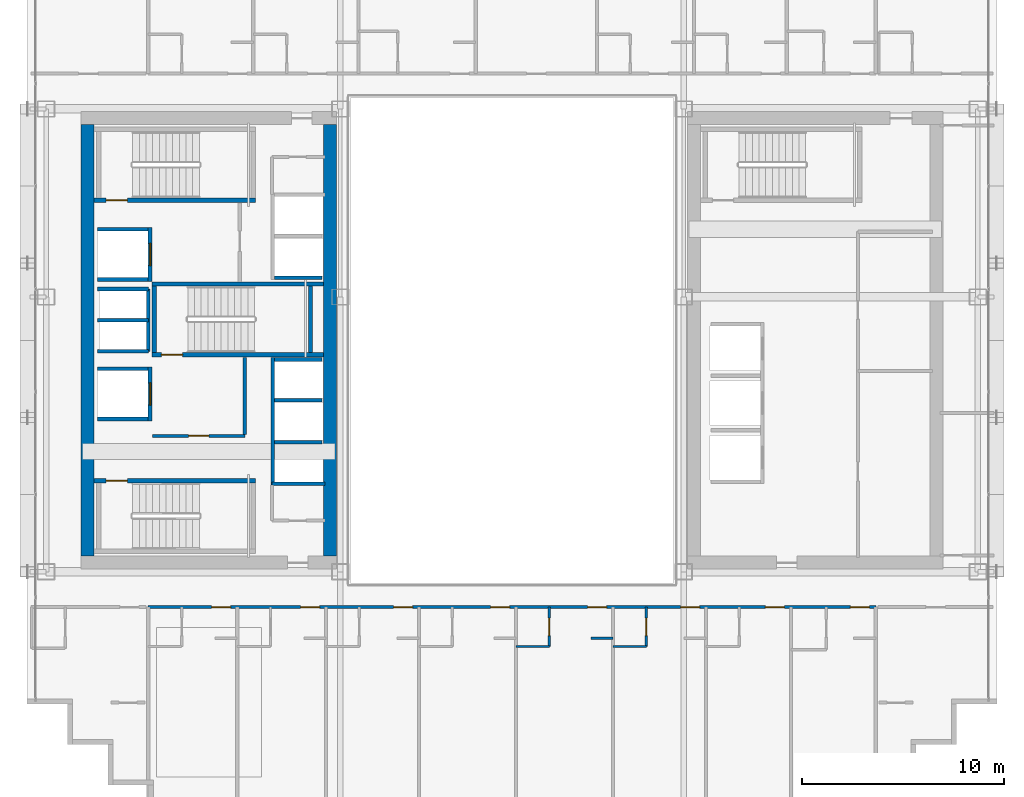
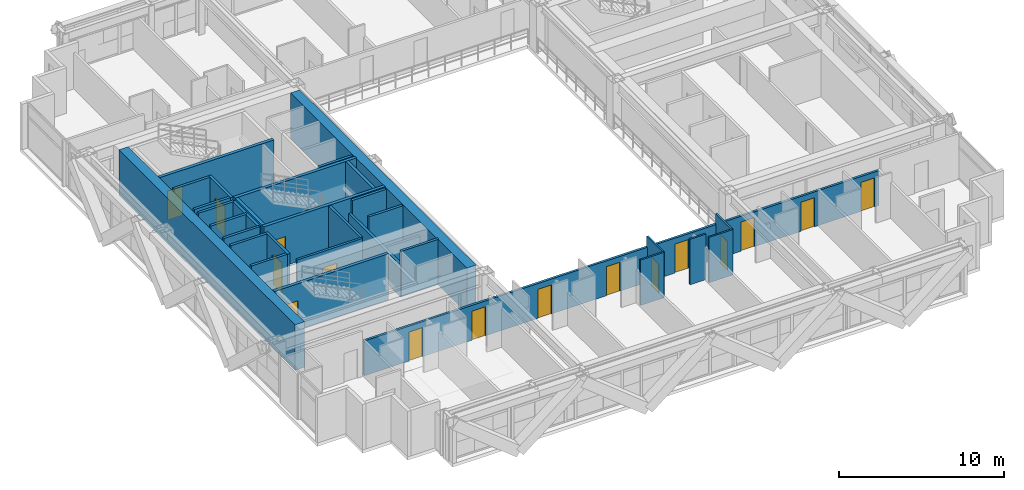
# One storey, part 28 of 35: 32 walls, 16 doors, 16 openings.
"""IFC4 building model written with IfcOpenShell, lengths in metres."""

from ifc_helpers import new_model, si_unit, direction, frame, frame_2d, origin, place, context, subcontext, project, spatial, rectangle, extrude, source, transform, mapped, material, layer, layer_set, type_object, element, fill, save


model = new_model("IFC4")

# Units and contexts
model_context = context("Model", 3, precision=1e-05, world=origin(), true_north=direction((0.0, 1.0)))
body_context = subcontext(model_context, "Body", "Model", "MODEL_VIEW")
ifc_project = project(units=[si_unit("LENGTHUNIT", "METRE"), si_unit("AREAUNIT", "SQUARE_METRE"), si_unit("VOLUMEUNIT", "CUBIC_METRE"), si_unit("PLANEANGLEUNIT", "RADIAN"), si_unit("MASSUNIT", "GRAM", prefix="KILO")], contexts=[model_context])

# Site, building, storey
site_placement = place(None, origin())
site = spatial("IfcSite", under=ifc_project, at=site_placement, CompositionType="ELEMENT")
building_placement = place(site_placement, origin())
building = spatial("IfcBuilding", under=site, at=building_placement, Name="Ocotamira Hotel", CompositionType="ELEMENT")
storey_placement = place(building_placement, frame((0.0, 0.0, 100.800048828125)))
storey = spatial("IfcBuildingStorey", under=building, at=storey_placement, Name="L24", CompositionType="ELEMENT", Elevation=100.800048828125)

# Walls
ifc_material_1 = material(Name="Concrete C60/75", Category="concrete")
ifc_layer_1 = layer(ifc_material_1, 0.64990234375)
ifc_layer_set_1 = layer_set([ifc_layer_1], Name="Concrete C60/75")
wall_type_1 = type_object("IfcWallType", Name="WL-CORE-650", PredefinedType="SHEAR", material=ifc_layer_set_1)
for number, where, z_axis, x_axis, name in (
    (1, (11.0, 15.324951171875, 0.0), (0.0, 0.0, 1.0), (0.0, 1.0, 0.0), "L24 Shear Core Wall WCORE-W"),
    (2, (23.0, 15.324951171875, 0.0), (0.0, 0.0, 1.0), (0.0, 1.0, 0.0), "L24 Shear Core Wall WCORE-E"),
):
    element("IfcWall", number, at=place(storey_placement, frame(where, z_axis=z_axis, x_axis=x_axis)), inside=storey, type_object=wall_type_1, Name=name, PredefinedType="SHEAR", context=body_context, shape_type="SweptSolid", body=[
        extrude(rectangle(XDim=21.35009765625, YDim=0.64990234375, at=frame_2d((10.675048828125, 0.0))), origin(), (0.0, 0.0, 1.0), 3.35986328125),
    ])

# Wall, opening, door
ifc_material_2 = material(Name="Acoustic double-layer fire gypsum board partition", Category="gypsum")
ifc_layer_2 = layer(ifc_material_2, 0.159912109375)
ifc_layer_set_2 = layer_set([ifc_layer_2], Name="Acoustic double-layer fire gypsum board partition")
wall_type_2 = type_object("IfcWallType", Name="WL-FIRE-160", PredefinedType="PARTITIONING", material=ifc_layer_set_2)
wall_1_placement = place(storey_placement, frame((14.199951171875, 21.27001953125, 0.0), z_axis=(0.0, 0.0, 1.0), x_axis=(1.0, 0.0, 0.0)))
wall_1 = element("IfcWall", 3, at=wall_1_placement, inside=storey, type_object=wall_type_2, Name="L24 Interior Wall PW-L24-FSAE1-S", PredefinedType="PARTITIONING", context=body_context, shape_type="SweptSolid", body=[
    extrude(rectangle(XDim=4.580078125, YDim=0.159912109375, at=frame_2d((2.2900390625, 0.0))), origin(), (0.0, 0.0, 1.0), 3.35986328125),
])
opening_1_placement = place(wall_1_placement, frame((1.800048828125, 0.0, 0.0)))
opening_1 = element("IfcOpeningElement", 4, at=opening_1_placement, cuts=wall_1, Name="Opening D-FR2", PredefinedType="OPENING", context=body_context, shape_type="SweptSolid", body=[
    extrude(rectangle(XDim=1.0, YDim=2.14990234375, at=frame_2d((0.5, 1.074951171875))), frame((0.0, 0.08984375, 0.0), z_axis=(0.0, -1.0, 0.0), x_axis=(1.0, 0.0, 0.0)), (0.0, 0.0, 1.0), 0.179931640625),
])
ifc_material_3 = material(Name="Fire-rated acoustic timber-veneer door", Category="wood")
door_type_1 = type_object("IfcDoorType", Name="DR-FIRE-1000", OperationType="NOTDEFINED", PredefinedType="DOOR", material=ifc_material_3)
shared_shape_1 = source(origin(), body_context, "Body", "SweptSolid", [
    extrude(rectangle(XDim=1.0, YDim=2.14990234375, at=frame_2d((0.5, 1.074951171875))), frame((0.0, 0.02490234375, 0.0), z_axis=(0.0, -1.0, 0.0), x_axis=(1.0, 0.0, 0.0)), (0.0, 0.0, 1.0), 0.050048828125),
])
door_1_placement = place(opening_1_placement, origin())
door_1 = element("IfcDoor", 5, at=door_1_placement, inside=storey, type_object=door_type_1, Name="L24 Door ID-L24-FSAE1-D [ID-L24-FSAE1-D]", OperationType="SINGLE_SWING_LEFT", OverallHeight=2.14990234375, OverallWidth=1.0, PredefinedType="DOOR", context=body_context, shape_type="MappedRepresentation", body=[
    mapped(shared_shape_1, transform((0.0, 0.0, 0.0), scale=1.0)),
])
fill(opening_1, door_1)

# Wall
wall_2_placement = place(storey_placement, frame((18.780029296875, 21.35009765625, 0.0), z_axis=(0.0, 0.0, 1.0), x_axis=(0.0, 1.0, 0.0)))
element("IfcWall", 6, at=wall_2_placement, inside=storey, type_object=wall_type_2, Name="L24 Interior Wall PW-L24-FSAE1-E", PredefinedType="PARTITIONING", context=body_context, shape_type="SweptSolid", body=[
    extrude(rectangle(XDim=3.809814453125, YDim=0.159912109375, at=frame_2d((1.90478515625, 0.0))), origin(), (0.0, 0.0, 1.0), 3.35986328125),
])

# Wall, openings, doors
wall_3_placement = place(storey_placement, frame((14.0, 12.800048828125, 0.0), z_axis=(0.0, 0.0, 1.0), x_axis=(1.0, 0.0, 0.0)))
wall_3 = element("IfcWall", 7, at=wall_3_placement, inside=storey, type_object=wall_type_2, Name="L24 Interior Wall PW-L24-Z2AS-CORRW", PredefinedType="PARTITIONING", context=body_context, shape_type="SweptSolid", body=[
    extrude(rectangle(XDim=36.0, YDim=0.159912109375, at=frame_2d((18.0, 0.0))), origin(), (0.0, 0.0, 1.0), 2.5810546875),
])
opening_2_placement = place(wall_3_placement, frame((3.139892578125, 0.0, 0.0)))
opening_2 = element("IfcOpeningElement", 8, at=opening_2_placement, cuts=wall_3, Name="Opening D-GR1", PredefinedType="OPENING", context=body_context, shape_type="SweptSolid", body=[
    extrude(rectangle(XDim=0.93994140625, YDim=2.14990234375, at=frame_2d((0.469970703125, 1.074951171875))), frame((0.0, 0.08984375, 0.0), z_axis=(0.0, -1.0, 0.0), x_axis=(1.0, 0.0, 0.0)), (0.0, 0.0, 1.0), 0.179931640625),
])
opening_3_placement = place(wall_3_placement, frame((7.5400390625, 0.0, 0.0)))
opening_3 = element("IfcOpeningElement", 9, at=opening_3_placement, cuts=wall_3, Name="Opening D-GR1", PredefinedType="OPENING", context=body_context, shape_type="SweptSolid", body=[
    extrude(rectangle(XDim=0.93994140625, YDim=2.14990234375, at=frame_2d((0.469970703125, 1.074951171875))), frame((0.0, 0.08984375, 0.0), z_axis=(0.0, -1.0, 0.0), x_axis=(1.0, 0.0, 0.0)), (0.0, 0.0, 1.0), 0.179931640625),
])
opening_4_placement = place(wall_3_placement, frame((12.139892578125, 0.0, 0.0)))
opening_4 = element("IfcOpeningElement", 10, at=opening_4_placement, cuts=wall_3, Name="Opening D-GR1", PredefinedType="OPENING", context=body_context, shape_type="SweptSolid", body=[
    extrude(rectangle(XDim=0.93994140625, YDim=2.14990234375, at=frame_2d((0.469970703125, 1.074951171875))), frame((0.0, 0.08984375, 0.0), z_axis=(0.0, -1.0, 0.0), x_axis=(1.0, 0.0, 0.0)), (0.0, 0.0, 1.0), 0.179931640625),
])
opening_5_placement = place(wall_3_placement, frame((16.93994140625, 0.0, 0.0)))
opening_5 = element("IfcOpeningElement", 11, at=opening_5_placement, cuts=wall_3, Name="Opening D-GR1", PredefinedType="OPENING", context=body_context, shape_type="SweptSolid", body=[
    extrude(rectangle(XDim=0.93994140625, YDim=2.14990234375, at=frame_2d((0.469970703125, 1.074951171875))), frame((0.0, 0.08984375, 0.0), z_axis=(0.0, -1.0, 0.0), x_axis=(1.0, 0.0, 0.0)), (0.0, 0.0, 1.0), 0.179931640625),
])
opening_6_placement = place(wall_3_placement, frame((21.739990234375, 0.0, 0.0)))
opening_6 = element("IfcOpeningElement", 12, at=opening_6_placement, cuts=wall_3, Name="Opening D-GR1", PredefinedType="OPENING", context=body_context, shape_type="SweptSolid", body=[
    extrude(rectangle(XDim=0.93994140625, YDim=2.14990234375, at=frame_2d((0.469970703125, 1.074951171875))), frame((0.0, 0.08984375, 0.0), z_axis=(0.0, -1.0, 0.0), x_axis=(1.0, 0.0, 0.0)), (0.0, 0.0, 1.0), 0.179931640625),
])
opening_7_placement = place(wall_3_placement, frame((26.340087890625, 0.0, 0.0)))
opening_7 = element("IfcOpeningElement", 13, at=opening_7_placement, cuts=wall_3, Name="Opening D-GR1", PredefinedType="OPENING", context=body_context, shape_type="SweptSolid", body=[
    extrude(rectangle(XDim=0.93994140625, YDim=2.14990234375, at=frame_2d((0.469970703125, 1.074951171875))), frame((0.0, 0.08984375, 0.0), z_axis=(0.0, -1.0, 0.0), x_axis=(1.0, 0.0, 0.0)), (0.0, 0.0, 1.0), 0.179931640625),
])
opening_8_placement = place(wall_3_placement, frame((30.5400390625, 0.0, 0.0)))
opening_8 = element("IfcOpeningElement", 14, at=opening_8_placement, cuts=wall_3, Name="Opening D-GR1", PredefinedType="OPENING", context=body_context, shape_type="SweptSolid", body=[
    extrude(rectangle(XDim=0.93994140625, YDim=2.14990234375, at=frame_2d((0.469970703125, 1.074951171875))), frame((0.0, 0.08984375, 0.0), z_axis=(0.0, -1.0, 0.0), x_axis=(1.0, 0.0, 0.0)), (0.0, 0.0, 1.0), 0.179931640625),
])
opening_9_placement = place(wall_3_placement, frame((34.739990234375, 0.0, 0.0)))
opening_9 = element("IfcOpeningElement", 15, at=opening_9_placement, cuts=wall_3, Name="Opening D-GR1", PredefinedType="OPENING", context=body_context, shape_type="SweptSolid", body=[
    extrude(rectangle(XDim=0.93994140625, YDim=2.14990234375, at=frame_2d((0.469970703125, 1.074951171875))), frame((0.0, 0.08984375, 0.0), z_axis=(0.0, -1.0, 0.0), x_axis=(1.0, 0.0, 0.0)), (0.0, 0.0, 1.0), 0.179931640625),
])
ifc_material_4 = material(Name="Solid-core walnut suite entrance fire door", Category="wood")
door_type_2 = type_object("IfcDoorType", Name="DR-GUEST-940", OperationType="NOTDEFINED", PredefinedType="DOOR", material=ifc_material_4)
shared_shape_2 = source(origin(), body_context, "Body", "SweptSolid", [
    extrude(rectangle(XDim=0.93994140625, YDim=2.14990234375, at=frame_2d((0.469970703125, 1.074951171875))), frame((0.0, 0.02490234375, 0.0), z_axis=(0.0, -1.0, 0.0), x_axis=(1.0, 0.0, 0.0)), (0.0, 0.0, 1.0), 0.050048828125),
])
door_2_placement = place(opening_2_placement, origin())
door_2 = element("IfcDoor", 16, at=door_2_placement, inside=storey, type_object=door_type_2, Name="L24 Door ID-L24-Z2AS-RMD1 [ID-L24-Z2AS-RMD1]", OperationType="SINGLE_SWING_LEFT", OverallHeight=2.14990234375, OverallWidth=0.93994140625, PredefinedType="DOOR", context=body_context, shape_type="MappedRepresentation", body=[
    mapped(shared_shape_2, transform((0.0, 0.0, 0.0), scale=1.0)),
])
fill(opening_2, door_2)
door_3_placement = place(opening_3_placement, origin())
door_3 = element("IfcDoor", 17, at=door_3_placement, inside=storey, type_object=door_type_2, Name="L24 Door ID-L24-Z2AS-RMD2 [ID-L24-Z2AS-RMD2]", OperationType="SINGLE_SWING_RIGHT", OverallHeight=2.14990234375, OverallWidth=0.93994140625, PredefinedType="DOOR", context=body_context, shape_type="MappedRepresentation", body=[
    mapped(shared_shape_2, transform((0.0, 0.0, 0.0), scale=1.0)),
])
fill(opening_3, door_3)
door_4_placement = place(opening_4_placement, origin())
door_4 = element("IfcDoor", 18, at=door_4_placement, inside=storey, type_object=door_type_2, Name="L24 Door ID-L24-Z2AS-RMD3 [ID-L24-Z2AS-RMD3]", OperationType="SINGLE_SWING_LEFT", OverallHeight=2.14990234375, OverallWidth=0.93994140625, PredefinedType="DOOR", context=body_context, shape_type="MappedRepresentation", body=[
    mapped(shared_shape_2, transform((0.0, 0.0, 0.0), scale=1.0)),
])
fill(opening_4, door_4)
door_5_placement = place(opening_5_placement, origin())
door_5 = element("IfcDoor", 19, at=door_5_placement, inside=storey, type_object=door_type_2, Name="L24 Door ID-L24-Z2AS-RMD4 [ID-L24-Z2AS-RMD4]", OperationType="SINGLE_SWING_RIGHT", OverallHeight=2.14990234375, OverallWidth=0.93994140625, PredefinedType="DOOR", context=body_context, shape_type="MappedRepresentation", body=[
    mapped(shared_shape_2, transform((0.0, 0.0, 0.0), scale=1.0)),
])
fill(opening_5, door_5)
door_6_placement = place(opening_6_placement, origin())
door_6 = element("IfcDoor", 20, at=door_6_placement, inside=storey, type_object=door_type_2, Name="L24 Door ID-L24-Z2AS-RMD5 [ID-L24-Z2AS-RMD5]", OperationType="SINGLE_SWING_LEFT", OverallHeight=2.14990234375, OverallWidth=0.93994140625, PredefinedType="DOOR", context=body_context, shape_type="MappedRepresentation", body=[
    mapped(shared_shape_2, transform((0.0, 0.0, 0.0), scale=1.0)),
])
fill(opening_6, door_6)
door_7_placement = place(opening_7_placement, origin())
door_7 = element("IfcDoor", 21, at=door_7_placement, inside=storey, type_object=door_type_2, Name="L24 Door ID-L24-Z2AS-RMD6 [ID-L24-Z2AS-RMD6]", OperationType="SINGLE_SWING_RIGHT", OverallHeight=2.14990234375, OverallWidth=0.93994140625, PredefinedType="DOOR", context=body_context, shape_type="MappedRepresentation", body=[
    mapped(shared_shape_2, transform((0.0, 0.0, 0.0), scale=1.0)),
])
fill(opening_7, door_7)
door_8_placement = place(opening_8_placement, origin())
door_8 = element("IfcDoor", 22, at=door_8_placement, inside=storey, type_object=door_type_2, Name="L24 Door ID-L24-Z2AS-RMD7 [ID-L24-Z2AS-RMD7]", OperationType="SINGLE_SWING_LEFT", OverallHeight=2.14990234375, OverallWidth=0.93994140625, PredefinedType="DOOR", context=body_context, shape_type="MappedRepresentation", body=[
    mapped(shared_shape_2, transform((0.0, 0.0, 0.0), scale=1.0)),
])
fill(opening_8, door_8)
door_9_placement = place(opening_9_placement, origin())
door_9 = element("IfcDoor", 23, at=door_9_placement, inside=storey, type_object=door_type_2, Name="L24 Door ID-L24-Z2AS-RMD8 [ID-L24-Z2AS-RMD8]", OperationType="SINGLE_SWING_RIGHT", OverallHeight=2.14990234375, OverallWidth=0.93994140625, PredefinedType="DOOR", context=body_context, shape_type="MappedRepresentation", body=[
    mapped(shared_shape_2, transform((0.0, 0.0, 0.0), scale=1.0)),
])
fill(opening_9, door_9)

# Wall, opening, door
ifc_material_5 = material(Name="Moisture-resistant en-suite tile and gypsum partition", Category="gypsum")
ifc_layer_3 = layer(ifc_material_5, 0.1201171875)
ifc_layer_set_3 = layer_set([ifc_layer_3], Name="Moisture-resistant en-suite tile and gypsum partition")
wall_type_3 = type_object("IfcWallType", Name="WL-PART-120", PredefinedType="PARTITIONING", material=ifc_layer_set_3)
wall_4_placement = place(storey_placement, frame((33.85009765625, 10.85009765625, 0.0), z_axis=(0.0, 0.0, 1.0), x_axis=(0.0, 1.0, 0.0)))
wall_4 = element("IfcWall", 24, at=wall_4_placement, inside=storey, type_object=wall_type_3, Name="L24 Interior Wall PW-L24-Z2AS-BAE5", PredefinedType="PARTITIONING", context=body_context, shape_type="SweptSolid", body=[
    extrude(rectangle(XDim=1.949951171875, YDim=0.1201171875, at=frame_2d((0.97509765625, 0.0))), origin(), (0.0, 0.0, 1.0), 3.35986328125),
])
opening_10_placement = place(wall_4_placement, frame((0.544921875, 0.0, 0.0)))
opening_10 = element("IfcOpeningElement", 25, at=opening_10_placement, cuts=wall_4, Name="Opening D-BA1", PredefinedType="OPENING", context=body_context, shape_type="SweptSolid", body=[
    extrude(rectangle(XDim=0.860107421875, YDim=2.10009765625, at=frame_2d((0.43017578125, 1.050048828125))), frame((0.0, 0.070068359375, 0.0), z_axis=(0.0, -1.0, 0.0), x_axis=(1.0, 0.0, 0.0)), (0.0, 0.0, 1.0), 0.14013671875),
])
ifc_material_6 = material(Name="Moisture-sealed en-suite timber door", Category="wood")
door_type_3 = type_object("IfcDoorType", Name="DR-BATH-860", OperationType="NOTDEFINED", PredefinedType="DOOR", material=ifc_material_6)
shared_shape_3 = source(origin(), body_context, "Body", "SweptSolid", [
    extrude(rectangle(XDim=0.860107421875, YDim=2.10009765625, at=frame_2d((0.43017578125, 1.050048828125))), frame((0.0, 0.02490234375, 0.0), z_axis=(0.0, -1.0, 0.0), x_axis=(1.0, 0.0, 0.0)), (0.0, 0.0, 1.0), 0.050048828125),
])
door_10_placement = place(opening_10_placement, origin())
door_10 = element("IfcDoor", 26, at=door_10_placement, inside=storey, type_object=door_type_3, Name="L24 Door ID-L24-Z2AS-BAD5 [ID-L24-Z2AS-BAD5]", OperationType="SINGLE_SWING_RIGHT", OverallHeight=2.10009765625, OverallWidth=0.860107421875, PredefinedType="DOOR", context=body_context, shape_type="MappedRepresentation", body=[
    mapped(shared_shape_3, transform((0.0, 0.0, 0.0), scale=1.0)),
])
fill(opening_10, door_10)

# Walls
wall_5_placement = place(storey_placement, frame((32.199951171875, 10.85009765625, 0.0), z_axis=(0.0, 0.0, 1.0), x_axis=(1.0, 0.0, 0.0)))
element("IfcWall", 27, at=wall_5_placement, inside=storey, type_object=wall_type_3, Name="L24 Interior Wall PW-L24-Z2AS-BAS5", PredefinedType="PARTITIONING", context=body_context, shape_type="SweptSolid", body=[
    extrude(rectangle(XDim=1.650146484375, YDim=0.1201171875, at=frame_2d((0.8251953125, 0.0))), origin(), (0.0, 0.0, 1.0), 3.35986328125),
])
wall_6_placement = place(storey_placement, frame((35.89990234375, 11.25, 0.0), z_axis=(0.0, 0.0, 1.0), x_axis=(1.0, 0.0, 0.0)))
element("IfcWall", 28, at=wall_6_placement, inside=storey, type_object=wall_type_3, Name="L24 Interior Wall PW-L24-Z2AS-DRN5", PredefinedType="PARTITIONING", context=body_context, shape_type="SweptSolid", body=[
    extrude(rectangle(XDim=1.10009765625, YDim=0.1201171875, at=frame_2d((0.550048828125, 0.0))), origin(), (0.0, 0.0, 1.0), 3.35986328125),
])

# Wall, opening, door
wall_7_placement = place(storey_placement, frame((38.64990234375, 10.85009765625, 0.0), z_axis=(0.0, 0.0, 1.0), x_axis=(0.0, 1.0, 0.0)))
wall_7 = element("IfcWall", 29, at=wall_7_placement, inside=storey, type_object=wall_type_3, Name="L24 Interior Wall PW-L24-Z2AS-BAE6", PredefinedType="PARTITIONING", context=body_context, shape_type="SweptSolid", body=[
    extrude(rectangle(XDim=1.949951171875, YDim=0.1201171875, at=frame_2d((0.97509765625, 0.0))), origin(), (0.0, 0.0, 1.0), 3.35986328125),
])
opening_11_placement = place(wall_7_placement, frame((0.544921875, 0.0, 0.0)))
opening_11 = element("IfcOpeningElement", 30, at=opening_11_placement, cuts=wall_7, Name="Opening D-BA1", PredefinedType="OPENING", context=body_context, shape_type="SweptSolid", body=[
    extrude(rectangle(XDim=0.860107421875, YDim=2.10009765625, at=frame_2d((0.43017578125, 1.050048828125))), frame((0.0, 0.070068359375, 0.0), z_axis=(0.0, -1.0, 0.0), x_axis=(1.0, 0.0, 0.0)), (0.0, 0.0, 1.0), 0.14013671875),
])
door_11_placement = place(opening_11_placement, origin())
door_11 = element("IfcDoor", 31, at=door_11_placement, inside=storey, type_object=door_type_3, Name="L24 Door ID-L24-Z2AS-BAD6 [ID-L24-Z2AS-BAD6]", OperationType="SINGLE_SWING_LEFT", OverallHeight=2.10009765625, OverallWidth=0.860107421875, PredefinedType="DOOR", context=body_context, shape_type="MappedRepresentation", body=[
    mapped(shared_shape_3, transform((0.0, 0.0, 0.0), scale=1.0)),
])
fill(opening_11, door_11)

# Walls
wall_8_placement = place(storey_placement, frame((37.0, 10.85009765625, 0.0), z_axis=(0.0, 0.0, 1.0), x_axis=(1.0, 0.0, 0.0)))
element("IfcWall", 32, at=wall_8_placement, inside=storey, type_object=wall_type_3, Name="L24 Interior Wall PW-L24-Z2AS-BAS6", PredefinedType="PARTITIONING", context=body_context, shape_type="SweptSolid", body=[
    extrude(rectangle(XDim=1.64990234375, YDim=0.1201171875, at=frame_2d((0.824951171875, 0.0))), origin(), (0.0, 0.0, 1.0), 3.35986328125),
])
ifc_material_7 = material(Name="Fire-rated gypsum shaftliner board assembly", Category="gypsum")
ifc_layer_4 = layer(ifc_material_7, 0.179931640625)
ifc_layer_set_4 = layer_set([ifc_layer_4], Name="Fire-rated gypsum shaftliner board assembly")
wall_type_4 = type_object("IfcWallType", Name="WL-SHAFT-180", PredefinedType="SOLIDWALL", material=ifc_layer_set_4)
wall_9_placement = place(storey_placement, frame((20.159912109375, 18.820068359375, 0.0), z_axis=(0.0, 0.0, 1.0), x_axis=(0.0, 1.0, 0.0)))
element("IfcWall", 33, at=wall_9_placement, inside=storey, type_object=wall_type_4, Name="L24 Interior Wall PW-L24-LFW-BANK-high-F", PredefinedType="SOLIDWALL", context=body_context, shape_type="SweptSolid", body=[
    extrude(rectangle(XDim=6.31982421875, YDim=0.179931640625, at=frame_2d((3.159912109375, 0.0))), origin(), (0.0, 0.0, 1.0), 2.35986328125),
])
wall_10_placement = place(storey_placement, frame((20.1201171875, 18.909912109375, 0.0), z_axis=(0.0, 0.0, 1.0), x_axis=(1.0, 0.0, 0.0)))
element("IfcWall", 34, at=wall_10_placement, inside=storey, type_object=wall_type_4, Name="L24 Interior Wall PW-L24-LFW-BANK-high-S", PredefinedType="SOLIDWALL", context=body_context, shape_type="SweptSolid", body=[
    extrude(rectangle(XDim=2.6298828125, YDim=0.179931640625, at=frame_2d((1.31494140625, 0.0))), origin(), (0.0, 0.0, 1.0), 3.35986328125),
])
wall_11_placement = place(storey_placement, frame((20.25, 25.050048828125, 0.0), z_axis=(0.0, 0.0, 1.0), x_axis=(1.0, 0.0, 0.0)))
element("IfcWall", 35, at=wall_11_placement, inside=storey, type_object=wall_type_4, Name="L24 Interior Wall PW-L24-LFW-BANK-high-N", PredefinedType="SOLIDWALL", context=body_context, shape_type="SweptSolid", body=[
    extrude(rectangle(XDim=2.360107421875, YDim=0.179931640625, at=frame_2d((1.18017578125, 0.0))), origin(), (0.0, 0.0, 1.0), 3.35986328125),
])
wall_12_placement = place(storey_placement, frame((20.25, 20.965087890625, 0.0), z_axis=(0.0, 0.0, 1.0), x_axis=(1.0, 0.0, 0.0)))
element("IfcWall", 36, at=wall_12_placement, inside=storey, type_object=wall_type_4, Name="L24 Interior Wall PW-L24-LFW-DIV-LF-P7", PredefinedType="SOLIDWALL", context=body_context, shape_type="SweptSolid", body=[
    extrude(rectangle(XDim=2.360107421875, YDim=0.179931640625, at=frame_2d((1.18017578125, 0.0))), origin(), (0.0, 0.0, 1.0), 2.35986328125),
])
for number, where, z_axis, x_axis, name in (
    (37, (20.25, 23.044921875, 0.0), (0.0, 0.0, 1.0), (1.0, 0.0, 0.0), "L24 Interior Wall PW-L24-LFW-DIV-LF-P8"),
    (38, (20.25, 29.090087890625, 0.0), (0.0, 0.0, 1.0), (1.0, 0.0, 0.0), "L24 Interior Wall PW-L24-LFW-BANK-obs-S"),
):
    element("IfcWall", number, at=place(storey_placement, frame(where, z_axis=z_axis, x_axis=x_axis)), inside=storey, type_object=wall_type_4, Name=name, PredefinedType="SOLIDWALL", context=body_context, shape_type="SweptSolid", body=[
        extrude(rectangle(XDim=2.360107421875, YDim=0.179931640625, at=frame_2d((1.18017578125, 0.0))), origin(), (0.0, 0.0, 1.0), 3.35986328125),
    ])
for number, where, z_axis, x_axis, name in (
    (39, (11.5, 22.110107421875, 0.0), (0.0, 0.0, 1.0), (1.0, 0.0, 0.0), "L24 Interior Wall PW-L24-LFW-LF-FSAE1-S"),
    (40, (11.5, 24.590087890625, 0.0), (0.0, 0.0, 1.0), (1.0, 0.0, 0.0), "L24 Interior Wall PW-L24-LFW-LF-FSAE1-N"),
):
    element("IfcWall", number, at=place(storey_placement, frame(where, z_axis=z_axis, x_axis=x_axis)), inside=storey, type_object=wall_type_4, Name=name, PredefinedType="SOLIDWALL", context=body_context, shape_type="SweptSolid", body=[
        extrude(rectangle(XDim=2.5, YDim=0.179931640625, at=frame_2d((1.25, 0.0))), origin(), (0.0, 0.0, 1.0), 3.35986328125),
    ])

# Wall, opening, door
wall_13_placement = place(storey_placement, frame((14.090087890625, 22.02001953125, 0.0), z_axis=(0.0, 0.0, 1.0), x_axis=(0.0, 1.0, 0.0)))
wall_13 = element("IfcWall", 41, at=wall_13_placement, inside=storey, type_object=wall_type_4, Name="L24 Interior Wall PW-L24-LFW-LF-FSAE1-E", PredefinedType="SOLIDWALL", context=body_context, shape_type="SweptSolid", body=[
    extrude(rectangle(XDim=2.659912109375, YDim=0.179931640625, at=frame_2d((1.330078125, 0.0))), origin(), (0.0, 0.0, 1.0), 3.35986328125),
])
opening_12_placement = place(wall_13_placement, frame((0.780029296875, 0.0, 0.0)))
opening_12 = element("IfcOpeningElement", 42, at=opening_12_placement, cuts=wall_13, Name="Opening LD-LF-FSAE1", PredefinedType="OPENING", context=body_context, shape_type="SweptSolid", body=[
    extrude(rectangle(XDim=1.10009765625, YDim=2.199951171875, at=frame_2d((0.550048828125, 1.10009765625))), frame((0.0, 0.10009765625, 0.0), z_axis=(0.0, -1.0, 0.0), x_axis=(1.0, 0.0, 0.0)), (0.0, 0.0, 1.0), 0.199951171875),
])
ifc_material_8 = material(Name="Brushed pale-metal stainless elevator landing door", Category="steel")
door_type_4 = type_object("IfcDoorType", Name="DR-LIFT-1100", OperationType="NOTDEFINED", PredefinedType="DOOR", material=ifc_material_8)
shared_shape_4 = source(origin(), body_context, "Body", "SweptSolid", [
    extrude(rectangle(XDim=1.10009765625, YDim=2.199951171875, at=frame_2d((0.550048828125, 1.10009765625))), frame((0.0, 0.02490234375, 0.0), z_axis=(0.0, -1.0, 0.0), x_axis=(1.0, 0.0, 0.0)), (0.0, 0.0, 1.0), 0.050048828125),
])
door_12_placement = place(opening_12_placement, origin())
door_12 = element("IfcDoor", 43, at=door_12_placement, inside=storey, type_object=door_type_4, Name="L24 Landing Door LD-LF-FSAE1 [ID-L24-LD-LF-FSAE1]", OperationType="DOUBLE_DOOR_SLIDING", OverallHeight=2.199951171875, OverallWidth=1.10009765625, PredefinedType="DOOR", context=body_context, shape_type="MappedRepresentation", body=[
    mapped(shared_shape_4, transform((0.0, 0.0, 0.0), scale=1.0)),
])
fill(opening_12, door_12)

# Walls
for number, where, z_axis, x_axis, name in (
    (44, (11.5, 29.010009765625, 0.0), (0.0, 0.0, 1.0), (1.0, 0.0, 0.0), "L24 Interior Wall PW-L24-LFW-LF-FSAE2-S"),
    (45, (11.5, 31.489990234375, 0.0), (0.0, 0.0, 1.0), (1.0, 0.0, 0.0), "L24 Interior Wall PW-L24-LFW-LF-FSAE2-N"),
):
    element("IfcWall", number, at=place(storey_placement, frame(where, z_axis=z_axis, x_axis=x_axis)), inside=storey, type_object=wall_type_4, Name=name, PredefinedType="SOLIDWALL", context=body_context, shape_type="SweptSolid", body=[
        extrude(rectangle(XDim=2.5, YDim=0.179931640625, at=frame_2d((1.25, 0.0))), origin(), (0.0, 0.0, 1.0), 3.35986328125),
    ])

# Wall, opening, door
wall_14_placement = place(storey_placement, frame((14.090087890625, 28.919921875, 0.0), z_axis=(0.0, 0.0, 1.0), x_axis=(0.0, 1.0, 0.0)))
wall_14 = element("IfcWall", 46, at=wall_14_placement, inside=storey, type_object=wall_type_4, Name="L24 Interior Wall PW-L24-LFW-LF-FSAE2-E", PredefinedType="SOLIDWALL", context=body_context, shape_type="SweptSolid", body=[
    extrude(rectangle(XDim=2.66015625, YDim=0.179931640625, at=frame_2d((1.330078125, 0.0))), origin(), (0.0, 0.0, 1.0), 3.35986328125),
])
opening_13_placement = place(wall_14_placement, frame((0.780029296875, 0.0, 0.0)))
opening_13 = element("IfcOpeningElement", 47, at=opening_13_placement, cuts=wall_14, Name="Opening LD-LF-FSAE2", PredefinedType="OPENING", context=body_context, shape_type="SweptSolid", body=[
    extrude(rectangle(XDim=1.10009765625, YDim=2.199951171875, at=frame_2d((0.550048828125, 1.10009765625))), frame((0.0, 0.10009765625, 0.0), z_axis=(0.0, -1.0, 0.0), x_axis=(1.0, 0.0, 0.0)), (0.0, 0.0, 1.0), 0.199951171875),
])
door_13_placement = place(opening_13_placement, origin())
door_13 = element("IfcDoor", 48, at=door_13_placement, inside=storey, type_object=door_type_4, Name="L24 Landing Door LD-LF-FSAE2 [ID-L24-LD-LF-FSAE2]", OperationType="DOUBLE_DOOR_SLIDING", OverallHeight=2.199951171875, OverallWidth=1.10009765625, PredefinedType="DOOR", context=body_context, shape_type="MappedRepresentation", body=[
    mapped(shared_shape_4, transform((0.0, 0.0, 0.0), scale=1.0)),
])
fill(opening_13, door_13)

# Walls
for number, where, z_axis, x_axis, name in (
    (49, (11.5, 25.4599609375, 0.0), (0.0, 0.0, 1.0), (1.0, 0.0, 0.0), "L24 Interior Wall PW-L24-RSW-S"),
    (50, (11.5, 27.0, 0.0), (0.0, 0.0, 1.0), (1.0, 0.0, 0.0), "L24 Interior Wall PW-L24-RSW-MID"),
    (51, (11.5, 28.5400390625, 0.0), (0.0, 0.0, 1.0), (1.0, 0.0, 0.0), "L24 Interior Wall PW-L24-RSW-N"),
):
    element("IfcWall", number, at=place(storey_placement, frame(where, z_axis=z_axis, x_axis=x_axis)), inside=storey, type_object=wall_type_4, Name=name, PredefinedType="SOLIDWALL", context=body_context, shape_type="SweptSolid", body=[
        extrude(rectangle(XDim=2.510009765625, YDim=0.179931640625, at=frame_2d((1.2548828125, 0.0))), origin(), (0.0, 0.0, 1.0), 3.35986328125),
    ])
wall_15_placement = place(storey_placement, frame((14.010009765625, 25.4599609375, 0.0), z_axis=(0.0, 0.0, 1.0), x_axis=(0.0, 1.0, 0.0)))
element("IfcWall", 52, at=wall_15_placement, inside=storey, type_object=wall_type_4, Name="L24 Interior Wall PW-L24-RSW-E", PredefinedType="SOLIDWALL", context=body_context, shape_type="SweptSolid", body=[
    extrude(rectangle(XDim=3.080078125, YDim=0.179931640625, at=frame_2d((1.5400390625, 0.0))), origin(), (0.0, 0.0, 1.0), 3.35986328125),
])

# Wall, opening, door
ifc_material_9 = material(Name="Concrete C50/60", Category="concrete")
ifc_layer_5 = layer(ifc_material_9, 0.219970703125)
ifc_layer_set_5 = layer_set([ifc_layer_5], Name="Concrete C50/60")
wall_type_5 = type_object("IfcWallType", Name="WL-STAIR-220", PredefinedType="SHEAR", material=ifc_layer_set_5)
wall_16_placement = place(storey_placement, frame((11.324951171875, 19.06005859375, 0.0), z_axis=(0.0, 0.0, 1.0), x_axis=(1.0, 0.0, 0.0)))
wall_16 = element("IfcWall", 53, at=wall_16_placement, inside=storey, type_object=wall_type_5, Name="L24 Stair Shaft Structural Wall ST-1-N", PredefinedType="SHEAR", context=body_context, shape_type="SweptSolid", body=[
    extrude(rectangle(XDim=7.985107421875, YDim=0.219970703125, at=frame_2d((3.99267578125, 0.0))), origin(), (0.0, 0.0, 1.0), 3.39990234375),
])
opening_14_placement = place(wall_16_placement, frame((0.594970703125, 0.0, 0.0)))
opening_14 = element("IfcOpeningElement", 54, at=opening_14_placement, cuts=wall_16, Name="Opening D-ST2", PredefinedType="OPENING", context=body_context, shape_type="SweptSolid", body=[
    extrude(rectangle(XDim=1.050048828125, YDim=2.14990234375, at=frame_2d((0.52490234375, 1.074951171875))), frame((0.0, 0.1201171875, 0.0), z_axis=(0.0, -1.0, 0.0), x_axis=(1.0, 0.0, 0.0)), (0.0, 0.0, 1.0), 0.239990234375),
])
ifc_material_10 = material(Name="Insulated painted hollow-metal fire exit door", Category="steel")
door_type_5 = type_object("IfcDoorType", Name="DR-STAIR-1050", OperationType="NOTDEFINED", PredefinedType="DOOR", material=ifc_material_10)
shared_shape_5 = source(origin(), body_context, "Body", "SweptSolid", [
    extrude(rectangle(XDim=1.050048828125, YDim=2.14990234375, at=frame_2d((0.52490234375, 1.074951171875))), frame((0.0, 0.02490234375, 0.0), z_axis=(0.0, -1.0, 0.0), x_axis=(1.0, 0.0, 0.0)), (0.0, 0.0, 1.0), 0.050048828125),
])
door_14_placement = place(opening_14_placement, origin())
door_14 = element("IfcDoor", 55, at=door_14_placement, inside=storey, type_object=door_type_5, Name="L24 Door ID-L24-STD-ST-1 [ID-L24-STD-ST-1]", OperationType="SINGLE_SWING_LEFT", OverallHeight=2.14990234375, OverallWidth=1.050048828125, PredefinedType="DOOR", context=body_context, shape_type="MappedRepresentation", body=[
    mapped(shared_shape_5, transform((0.0, 0.0, 0.0), scale=1.0)),
])
fill(opening_14, door_14)

wall_17_placement = place(storey_placement, frame((11.324951171875, 32.93994140625, 0.0), z_axis=(0.0, 0.0, 1.0), x_axis=(1.0, 0.0, 0.0)))
wall_17 = element("IfcWall", 56, at=wall_17_placement, inside=storey, type_object=wall_type_5, Name="L24 Stair Shaft Structural Wall ST-2-S", PredefinedType="SHEAR", context=body_context, shape_type="SweptSolid", body=[
    extrude(rectangle(XDim=7.985107421875, YDim=0.219970703125, at=frame_2d((3.99267578125, 0.0))), origin(), (0.0, 0.0, 1.0), 3.39990234375),
])
opening_15_placement = place(wall_17_placement, frame((0.594970703125, 0.0, 0.0)))
opening_15 = element("IfcOpeningElement", 57, at=opening_15_placement, cuts=wall_17, Name="Opening D-ST2", PredefinedType="OPENING", context=body_context, shape_type="SweptSolid", body=[
    extrude(rectangle(XDim=1.050048828125, YDim=2.14990234375, at=frame_2d((0.52490234375, 1.074951171875))), frame((0.0, 0.1201171875, 0.0), z_axis=(0.0, -1.0, 0.0), x_axis=(1.0, 0.0, 0.0)), (0.0, 0.0, 1.0), 0.239990234375),
])
door_15_placement = place(opening_15_placement, origin())
door_15 = element("IfcDoor", 58, at=door_15_placement, inside=storey, type_object=door_type_5, Name="L24 Door ID-L24-STD-ST-2 [ID-L24-STD-ST-2]", OperationType="SINGLE_SWING_RIGHT", OverallHeight=2.14990234375, OverallWidth=1.050048828125, PredefinedType="DOOR", context=body_context, shape_type="MappedRepresentation", body=[
    mapped(shared_shape_5, transform((0.0, 0.0, 0.0), scale=1.0)),
])
fill(opening_15, door_15)

wall_18_placement = place(storey_placement, frame((14.179931640625, 25.2900390625, 0.0), z_axis=(0.0, 0.0, 1.0), x_axis=(1.0, 0.0, 0.0)))
wall_18 = element("IfcWall", 59, at=wall_18_placement, inside=storey, type_object=wall_type_5, Name="L24 Stair Shaft Structural Wall ST-3-S", PredefinedType="SHEAR", context=body_context, shape_type="SweptSolid", body=[
    extrude(rectangle(XDim=8.4951171875, YDim=0.219970703125, at=frame_2d((4.24755859375, 0.0))), origin(), (0.0, 0.0, 1.0), 3.39990234375),
])
opening_16_placement = place(wall_18_placement, frame((0.469970703125, 0.0, 0.0)))
opening_16 = element("IfcOpeningElement", 60, at=opening_16_placement, cuts=wall_18, Name="Opening D-ST2", PredefinedType="OPENING", context=body_context, shape_type="SweptSolid", body=[
    extrude(rectangle(XDim=1.050048828125, YDim=2.14990234375, at=frame_2d((0.52490234375, 1.074951171875))), frame((0.0, 0.1201171875, 0.0), z_axis=(0.0, -1.0, 0.0), x_axis=(1.0, 0.0, 0.0)), (0.0, 0.0, 1.0), 0.239990234375),
])
door_16_placement = place(opening_16_placement, origin())
door_16 = element("IfcDoor", 61, at=door_16_placement, inside=storey, type_object=door_type_5, Name="L24 Door ID-L24-STD-ST-3 [ID-L24-STD-ST-3]", OperationType="SINGLE_SWING_LEFT", OverallHeight=2.14990234375, OverallWidth=1.050048828125, PredefinedType="DOOR", context=body_context, shape_type="MappedRepresentation", body=[
    mapped(shared_shape_5, transform((0.0, 0.0, 0.0), scale=1.0)),
])
fill(opening_16, door_16)

# Walls
wall_19_placement = place(storey_placement, frame((14.179931640625, 28.7900390625, 0.0), z_axis=(0.0, 0.0, 1.0), x_axis=(1.0, 0.0, 0.0)))
element("IfcWall", 62, at=wall_19_placement, inside=storey, type_object=wall_type_5, Name="L24 Stair Shaft Structural Wall ST-3-N", PredefinedType="SHEAR", context=body_context, shape_type="SweptSolid", body=[
    extrude(rectangle(XDim=8.4951171875, YDim=0.219970703125, at=frame_2d((4.24755859375, 0.0))), origin(), (0.0, 0.0, 1.0), 3.39990234375),
])
for number, where, z_axis, x_axis, name in (
    (63, (14.2900390625, 25.39990234375, 0.0), (0.0, 0.0, 1.0), (0.0, 1.0, 0.0), "L24 Stair Shaft Structural Wall ST-3-W"),
    (64, (22.030029296875, 25.39990234375, 0.0), (0.0, 0.0, 1.0), (0.0, 1.0, 0.0), "L24 Stair Shaft Structural Wall ST-3-E"),
):
    element("IfcWall", number, at=place(storey_placement, frame(where, z_axis=z_axis, x_axis=x_axis)), inside=storey, type_object=wall_type_5, Name=name, PredefinedType="SHEAR", context=body_context, shape_type="SweptSolid", body=[
        extrude(rectangle(XDim=3.280029296875, YDim=0.219970703125, at=frame_2d((1.64013671875, 0.0))), origin(), (0.0, 0.0, 1.0), 3.39990234375),
    ])

save(model, "model.ifc")
